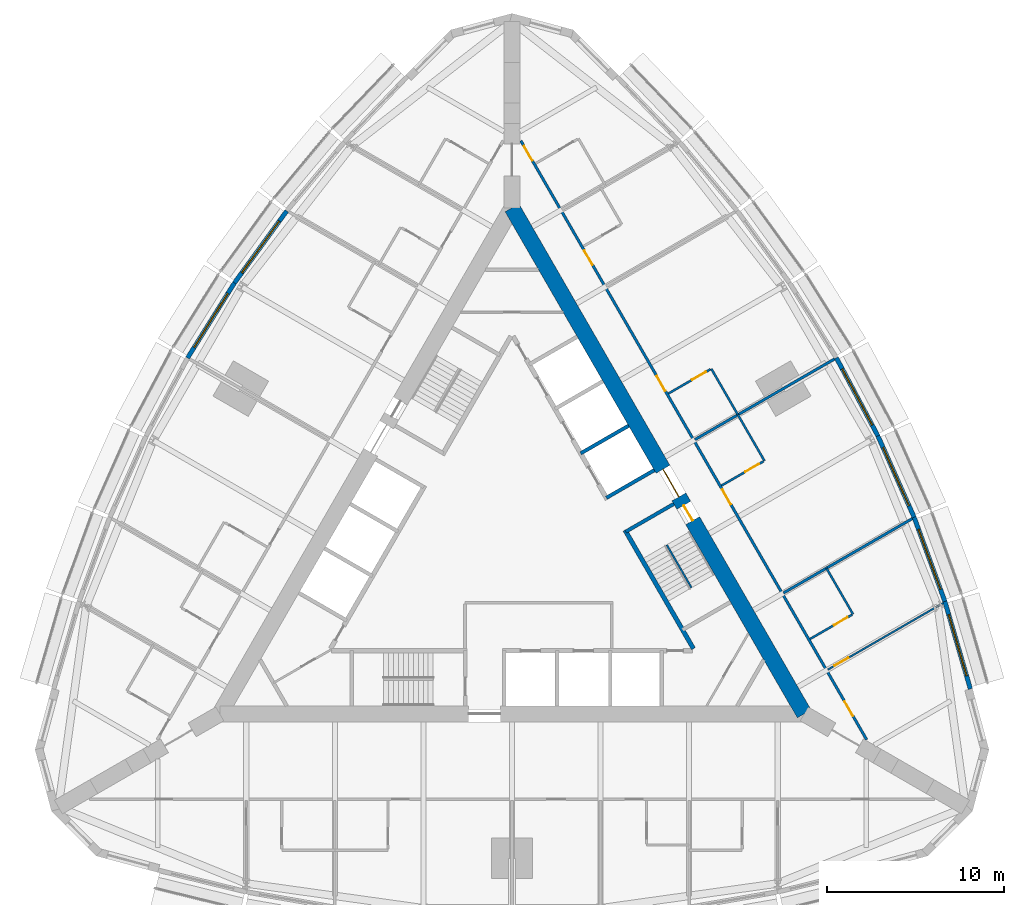
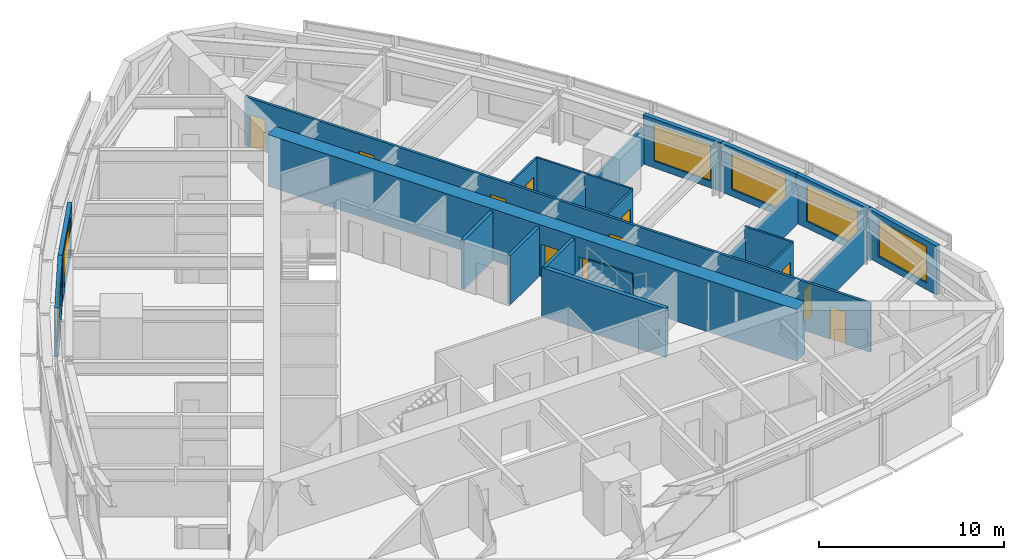
# One storey, part 11 of 14: 22 walls, 11 doors, 6 windows, 17 openings.
"""IFC4 building model written with IfcOpenShell, lengths in metres."""

from ifc_helpers import new_model, si_unit, direction, frame, frame_2d, origin, place, context, subcontext, project, spatial, rectangle, extrude, material, layer, layer_set, type_object, element, fill, save


model = new_model("IFC4")

# Units and contexts
model_context = context("Model", 3, precision=1e-05, world=origin(), true_north=direction((0.0, 1.0)))
body_context = subcontext(model_context, "Body", "Model", "MODEL_VIEW")
ifc_project = project(units=[si_unit("LENGTHUNIT", "METRE"), si_unit("AREAUNIT", "SQUARE_METRE"), si_unit("VOLUMEUNIT", "CUBIC_METRE"), si_unit("PLANEANGLEUNIT", "RADIAN"), si_unit("MASSUNIT", "GRAM", prefix="KILO")], contexts=[model_context])

# Site, building, storey
site_placement = place(None, origin())
site = spatial("IfcSite", under=ifc_project, at=site_placement, CompositionType="ELEMENT")
building_placement = place(site_placement, origin())
building = spatial("IfcBuilding", under=site, at=building_placement, Name="Trikona Tower", CompositionType="ELEMENT")
storey_placement = place(building_placement, frame((0.0, 0.0, 158.89990234375)))
storey = spatial("IfcBuildingStorey", under=building, at=storey_placement, Name="L42", CompositionType="ELEMENT", Elevation=158.89990234375)

# Wall
ifc_material_1 = material(Name="Metal stud and cement board", Category="gypsum")
ifc_layer_1 = layer(ifc_material_1, 0.1201171875)
ifc_layer_set_1 = layer_set([ifc_layer_1], Name="Bathroom wall 120")
wall_type_1 = type_object("IfcWallType", Name="Bathroom wall 120", PredefinedType="PLUMBINGWALL", material=ifc_layer_set_1)
wall_1_placement = place(storey_placement, frame((19.25341796875, -3.895263671875, 0.0), z_axis=(0.0, 0.0, 1.0), x_axis=(-0.499990139034, 0.866031096941, 0.0)))
element("IfcWall", 1, at=wall_1_placement, inside=storey, type_object=wall_type_1, Name="Bathroom wall 4205.1", PredefinedType="PLUMBINGWALL", context=body_context, shape_type="SweptSolid", body=[
    extrude(rectangle(XDim=3.0, YDim=0.1201171875, at=frame_2d((1.5, 0.0))), origin(), (0.0, 0.0, 1.0), 3.235107421875),
])

# Wall, opening, door
wall_2_placement = place(storey_placement, frame((16.82861328125, -5.295166015625, 0.0), z_axis=(0.0, 0.0, 1.0), x_axis=(0.866035715982, 0.499982138324, 0.0)))
wall_2 = element("IfcWall", 2, at=wall_2_placement, inside=storey, type_object=wall_type_1, Name="Bathroom wall 4205.1", PredefinedType="PLUMBINGWALL", context=body_context, shape_type="SweptSolid", body=[
    extrude(rectangle(XDim=2.73974609375, YDim=0.1201171875, at=frame_2d((1.369873046875, 0.0))), origin(), (0.0, 0.0, 1.0), 3.235107421875),
])
opening_1_placement = place(wall_2_placement, frame((1.550048828125, 0.0, 0.0)))
opening_1 = element("IfcOpeningElement", 3, at=opening_1_placement, cuts=wall_2, Name="Opening D2", PredefinedType="OPENING", context=body_context, shape_type="SweptSolid", body=[
    extrude(rectangle(XDim=0.89990234375, YDim=2.1298828125, at=frame_2d((0.449951171875, 1.06494140625))), frame((0.0, 0.070068359375, 0.0), z_axis=(0.0, -1.0, 0.0), x_axis=(1.0, 0.0, 0.0)), (0.0, 0.0, 1.0), 0.14013671875),
])
ifc_material_2 = material(Name="Steel door frame with solid-core timber leaf", Category="steel")
door_type_1 = type_object("IfcDoorType", Name="Bathroom door 900x2130", OperationType="SLIDING_TO_LEFT", PredefinedType="DOOR", material=ifc_material_2)
door_1_placement = place(opening_1_placement, origin())
door_1 = element("IfcDoor", 4, at=door_1_placement, inside=storey, type_object=door_type_1, Name="Bathroom door 4205.1", OperationType="SLIDING_TO_LEFT", OverallHeight=2.1298828125, OverallWidth=0.89990234375, PredefinedType="DOOR", context=body_context, shape_type="SweptSolid", body=[
    extrude(rectangle(XDim=0.89990234375, YDim=2.1298828125, at=frame_2d((0.449951171875, 1.06494140625))), frame((0.0, 0.02490234375, 0.0), z_axis=(0.0, -1.0, 0.0), x_axis=(1.0, 0.0, 0.0)), (0.0, 0.0, 1.0), 0.050048828125),
])
fill(opening_1, door_1)

# Wall
wall_3_placement = place(storey_placement, frame((14.25341796875, 4.76513671875, 0.0), z_axis=(0.0, 0.0, 1.0), x_axis=(-0.50002537861, 0.866010750942, 0.0)))
element("IfcWall", 5, at=wall_3_placement, inside=storey, type_object=wall_type_1, Name="Bathroom wall 4206", PredefinedType="PLUMBINGWALL", context=body_context, shape_type="SweptSolid", body=[
    extrude(rectangle(XDim=2.999755859375, YDim=0.1201171875, at=frame_2d((1.5, 0.0))), origin(), (0.0, 0.0, 1.0), 3.235107421875),
])

# Wall, opening, door
wall_4_placement = place(storey_placement, frame((11.82861328125, 3.364990234375, 0.0), z_axis=(0.0, 0.0, 1.0), x_axis=(0.865997131366, 0.500048966069, 0.0)))
wall_4 = element("IfcWall", 6, at=wall_4_placement, inside=storey, type_object=wall_type_1, Name="Bathroom wall 4206", PredefinedType="PLUMBINGWALL", context=body_context, shape_type="SweptSolid", body=[
    extrude(rectangle(XDim=2.739990234375, YDim=0.1201171875, at=frame_2d((1.3701171875, 0.0))), origin(), (0.0, 0.0, 1.0), 3.235107421875),
])
opening_2_placement = place(wall_4_placement, frame((1.550048828125, 0.0, 0.0)))
opening_2 = element("IfcOpeningElement", 7, at=opening_2_placement, cuts=wall_4, Name="Opening D2", PredefinedType="OPENING", context=body_context, shape_type="SweptSolid", body=[
    extrude(rectangle(XDim=0.89990234375, YDim=2.1298828125, at=frame_2d((0.449951171875, 1.06494140625))), frame((0.0, 0.070068359375, 0.0), z_axis=(0.0, -1.0, 0.0), x_axis=(1.0, 0.0, 0.0)), (0.0, 0.0, 1.0), 0.14013671875),
])
door_2_placement = place(opening_2_placement, origin())
door_2 = element("IfcDoor", 8, at=door_2_placement, inside=storey, type_object=door_type_1, Name="Bathroom door 4206", OperationType="SLIDING_TO_LEFT", OverallHeight=2.1298828125, OverallWidth=0.89990234375, PredefinedType="DOOR", context=body_context, shape_type="SweptSolid", body=[
    extrude(rectangle(XDim=0.89990234375, YDim=2.1298828125, at=frame_2d((0.449951171875, 1.06494140625))), frame((0.0, 0.02490234375, 0.0), z_axis=(0.0, -1.0, 0.0), x_axis=(1.0, 0.0, 0.0)), (0.0, 0.0, 1.0), 0.050048828125),
])
fill(opening_2, door_2)

# Wall
wall_5_placement = place(storey_placement, frame((12.75341796875, 7.363037109375, 0.0), z_axis=(0.0, 0.0, 1.0), x_axis=(-0.499990139034, 0.866031096941, 0.0)))
element("IfcWall", 9, at=wall_5_placement, inside=storey, type_object=wall_type_1, Name="Bathroom wall 4207", PredefinedType="PLUMBINGWALL", context=body_context, shape_type="SweptSolid", body=[
    extrude(rectangle(XDim=3.0, YDim=0.1201171875, at=frame_2d((1.5, 0.0))), origin(), (0.0, 0.0, 1.0), 3.235107421875),
])

# Wall, opening, door
wall_6_placement = place(storey_placement, frame((8.82861328125, 8.561279296875, 0.0), z_axis=(0.0, 0.0, 1.0), x_axis=(0.866035715982, 0.499982138324, 0.0)))
wall_6 = element("IfcWall", 10, at=wall_6_placement, inside=storey, type_object=wall_type_1, Name="Bathroom wall 4207", PredefinedType="PLUMBINGWALL", context=body_context, shape_type="SweptSolid", body=[
    extrude(rectangle(XDim=2.73974609375, YDim=0.1201171875, at=frame_2d((1.369873046875, 0.0))), origin(), (0.0, 0.0, 1.0), 3.235107421875),
])
opening_3_placement = place(wall_6_placement, frame((1.550048828125, 0.0, 0.0)))
opening_3 = element("IfcOpeningElement", 11, at=opening_3_placement, cuts=wall_6, Name="Opening D2", PredefinedType="OPENING", context=body_context, shape_type="SweptSolid", body=[
    extrude(rectangle(XDim=0.89990234375, YDim=2.1298828125, at=frame_2d((0.449951171875, 1.06494140625))), frame((0.0, 0.070068359375, 0.0), z_axis=(0.0, -1.0, 0.0), x_axis=(1.0, 0.0, 0.0)), (0.0, 0.0, 1.0), 0.14013671875),
])
door_3_placement = place(opening_3_placement, origin())
door_3 = element("IfcDoor", 12, at=door_3_placement, inside=storey, type_object=door_type_1, Name="Bathroom door 4207", OperationType="SLIDING_TO_LEFT", OverallHeight=2.1298828125, OverallWidth=0.89990234375, PredefinedType="DOOR", context=body_context, shape_type="SweptSolid", body=[
    extrude(rectangle(XDim=0.89990234375, YDim=2.1298828125, at=frame_2d((0.449951171875, 1.06494140625))), frame((0.0, 0.02490234375, 0.0), z_axis=(0.0, -1.0, 0.0), x_axis=(1.0, 0.0, 0.0)), (0.0, 0.0, 1.0), 0.050048828125),
])
fill(opening_3, door_3)

# Wall, openings, doors
ifc_material_3 = material(Name="Concrete f'c 10000 psi", Category="concrete")
ifc_layer_2 = layer(ifc_material_3, 0.89990234375)
ifc_layer_set_2 = layer_set([ifc_layer_2], Name="Core wall 900")
wall_type_2 = type_object("IfcWallType", Name="Core wall 900", PredefinedType="SHEAR", material=ifc_layer_set_2)
wall_7_placement = place(storey_placement, frame((16.5, -9.5263671875, 0.0), z_axis=(0.0, 0.0, 1.0), x_axis=(-0.499999749417, 0.866025548458, 0.0)))
wall_7 = element("IfcWall", 13, at=wall_7_placement, inside=storey, type_object=wall_type_2, Name="Core wall B", PredefinedType="SHEAR", context=body_context, shape_type="SweptSolid", body=[
    extrude(rectangle(XDim=33.0, YDim=0.89990234375, at=frame_2d((16.5, 0.0))), origin(), (0.0, 0.0, 1.0), 3.400146484375),
])
opening_4_placement = place(wall_7_placement, frame((14.14990234375, 0.0, 0.0)))
opening_4 = element("IfcOpeningElement", 14, at=opening_4_placement, cuts=wall_7, Name="Opening D6", PredefinedType="OPENING", context=body_context, shape_type="SweptSolid", body=[
    extrude(rectangle(XDim=1.800048828125, YDim=2.1298828125, at=frame_2d((0.89990234375, 1.06494140625))), frame((0.0, 0.4599609375, 0.0), z_axis=(0.0, -1.0, 0.0), x_axis=(1.0, 0.0, 0.0)), (0.0, 0.0, 1.0), 0.919921875),
])
opening_5_placement = place(wall_7_placement, frame((12.60009765625, 0.0, 0.0)))
opening_5 = element("IfcOpeningElement", 15, at=opening_5_placement, cuts=wall_7, Name="Opening D5", PredefinedType="OPENING", context=body_context, shape_type="SweptSolid", body=[
    extrude(rectangle(XDim=1.0, YDim=2.1298828125, at=frame_2d((0.5, 1.06494140625))), frame((0.0, 0.4599609375, 0.0), z_axis=(0.0, -1.0, 0.0), x_axis=(1.0, 0.0, 0.0)), (0.0, 0.0, 1.0), 0.919921875),
])
ifc_material_4 = material(Name="Hollow metal door and frame", Category="steel")
door_type_2 = type_object("IfcDoorType", Name="Lobby door pair 1800x2130", OperationType="DOUBLE_DOOR_SINGLE_SWING", PredefinedType="DOOR", material=ifc_material_4)
door_4_placement = place(opening_4_placement, origin())
door_4 = element("IfcDoor", 16, at=door_4_placement, inside=storey, type_object=door_type_2, Name="Lift lobby door B", OperationType="DOUBLE_DOOR_SINGLE_SWING", OverallHeight=2.1298828125, OverallWidth=1.800048828125, PredefinedType="DOOR", context=body_context, shape_type="SweptSolid", body=[
    extrude(rectangle(XDim=1.800048828125, YDim=2.1298828125, at=frame_2d((0.89990234375, 1.06494140625))), frame((0.0, 0.02490234375, 0.0), z_axis=(0.0, -1.0, 0.0), x_axis=(1.0, 0.0, 0.0)), (0.0, 0.0, 1.0), 0.050048828125),
])
fill(opening_4, door_4)
ifc_material_5 = material(Name="Hollow metal door and frame", Category="steel")
door_type_3 = type_object("IfcDoorType", Name="Stair door 1000x2130", OperationType="SINGLE_SWING_LEFT", PredefinedType="DOOR", material=ifc_material_5)
door_5_placement = place(opening_5_placement, origin())
door_5 = element("IfcDoor", 17, at=door_5_placement, inside=storey, type_object=door_type_3, Name="Stair B door", OperationType="SINGLE_SWING_RIGHT", OverallHeight=2.1298828125, OverallWidth=1.0, PredefinedType="DOOR", context=body_context, shape_type="SweptSolid", body=[
    extrude(rectangle(XDim=1.0, YDim=2.1298828125, at=frame_2d((0.5, 1.06494140625))), frame((0.0, 0.02490234375, 0.0), z_axis=(0.0, -1.0, 0.0), x_axis=(1.0, 0.0, 0.0)), (0.0, 0.0, 1.0), 0.050048828125),
])
fill(opening_5, door_5)

ifc_material_6 = material(Name="Metal stud and gypsum board, 1-hour", Category="gypsum")
ifc_layer_3 = layer(ifc_material_6, 0.14990234375)
ifc_layer_set_3 = layer_set([ifc_layer_3], Name="Corridor wall 150")
wall_type_3 = type_object("IfcWallType", Name="Corridor wall 150", PredefinedType="PARTITIONING", material=ifc_layer_set_3)
wall_8_placement = place(storey_placement, frame((20.027099609375, -10.9853515625, 0.0), z_axis=(0.0, 0.0, 1.0), x_axis=(-0.500001677587, 0.866024435227, 0.0)))
wall_8 = element("IfcWall", 18, at=wall_8_placement, inside=storey, type_object=wall_type_3, Name="Corridor wall L42-2", PredefinedType="PARTITIONING", context=body_context, shape_type="SweptSolid", body=[
    extrude(rectangle(XDim=39.053955078125, YDim=0.14990234375, at=frame_2d((19.52685546875, 0.0))), origin(), (0.0, 0.0, 1.0), 3.235107421875),
])
opening_6_placement = place(wall_8_placement, frame((1.558349609375, 0.0, 0.0)))
opening_6 = element("IfcOpeningElement", 19, at=opening_6_placement, cuts=wall_8, Name="Opening D1", PredefinedType="OPENING", context=body_context, shape_type="SweptSolid", body=[
    extrude(rectangle(XDim=0.949951171875, YDim=2.1298828125, at=frame_2d((0.47509765625, 1.06494140625))), frame((0.0, 0.0849609375, 0.0), z_axis=(0.0, -1.0, 0.0), x_axis=(1.0, 0.0, 0.0)), (0.0, 0.0, 1.0), 0.169921875),
])
opening_7_placement = place(wall_8_placement, frame((15.35205078125, 0.0, 0.0)))
opening_7 = element("IfcOpeningElement", 20, at=opening_7_placement, cuts=wall_8, Name="Opening D1", PredefinedType="OPENING", context=body_context, shape_type="SweptSolid", body=[
    extrude(rectangle(XDim=0.949951171875, YDim=2.1298828125, at=frame_2d((0.47509765625, 1.06494140625))), frame((0.0, 0.0849609375, 0.0), z_axis=(0.0, -1.0, 0.0), x_axis=(1.0, 0.0, 0.0)), (0.0, 0.0, 1.0), 0.169921875),
])
opening_8_placement = place(wall_8_placement, frame((22.751953125, 0.0, 0.0)))
opening_8 = element("IfcOpeningElement", 21, at=opening_8_placement, cuts=wall_8, Name="Opening D1", PredefinedType="OPENING", context=body_context, shape_type="SweptSolid", body=[
    extrude(rectangle(XDim=0.949951171875, YDim=2.1298828125, at=frame_2d((0.47509765625, 1.06494140625))), frame((0.0, 0.0849609375, 0.0), z_axis=(0.0, -1.0, 0.0), x_axis=(1.0, 0.0, 0.0)), (0.0, 0.0, 1.0), 0.169921875),
])
opening_9_placement = place(wall_8_placement, frame((30.951904296875, 0.0, 0.0)))
opening_9 = element("IfcOpeningElement", 22, at=opening_9_placement, cuts=wall_8, Name="Opening D1", PredefinedType="OPENING", context=body_context, shape_type="SweptSolid", body=[
    extrude(rectangle(XDim=0.949951171875, YDim=2.1298828125, at=frame_2d((0.47509765625, 1.06494140625))), frame((0.0, 0.0849609375, 0.0), z_axis=(0.0, -1.0, 0.0), x_axis=(1.0, 0.0, 0.0)), (0.0, 0.0, 1.0), 0.169921875),
])
opening_10_placement = place(wall_8_placement, frame((37.751953125, 0.0, 0.0)))
opening_10 = element("IfcOpeningElement", 23, at=opening_10_placement, cuts=wall_8, Name="Opening D1", PredefinedType="OPENING", context=body_context, shape_type="SweptSolid", body=[
    extrude(rectangle(XDim=0.949951171875, YDim=2.1298828125, at=frame_2d((0.47509765625, 1.06494140625))), frame((0.0, 0.0849609375, 0.0), z_axis=(0.0, -1.0, 0.0), x_axis=(1.0, 0.0, 0.0)), (0.0, 0.0, 1.0), 0.169921875),
])
ifc_material_7 = material(Name="Steel door frame with solid-core timber leaf", Category="steel")
door_type_4 = type_object("IfcDoorType", Name="Guest room door 950x2130", OperationType="SINGLE_SWING_LEFT", PredefinedType="DOOR", material=ifc_material_7)
door_6_placement = place(opening_6_placement, origin())
door_6 = element("IfcDoor", 24, at=door_6_placement, inside=storey, type_object=door_type_4, Name="Room door 4205", OperationType="SINGLE_SWING_LEFT", OverallHeight=2.1298828125, OverallWidth=0.949951171875, PredefinedType="DOOR", context=body_context, shape_type="SweptSolid", body=[
    extrude(rectangle(XDim=0.949951171875, YDim=2.1298828125, at=frame_2d((0.47509765625, 1.06494140625))), frame((0.0, 0.02490234375, 0.0), z_axis=(0.0, -1.0, 0.0), x_axis=(1.0, 0.0, 0.0)), (0.0, 0.0, 1.0), 0.050048828125),
])
fill(opening_6, door_6)
door_7_placement = place(opening_7_placement, origin())
door_7 = element("IfcDoor", 25, at=door_7_placement, inside=storey, type_object=door_type_4, Name="Room door 4206", OperationType="SINGLE_SWING_RIGHT", OverallHeight=2.1298828125, OverallWidth=0.949951171875, PredefinedType="DOOR", context=body_context, shape_type="SweptSolid", body=[
    extrude(rectangle(XDim=0.949951171875, YDim=2.1298828125, at=frame_2d((0.47509765625, 1.06494140625))), frame((0.0, 0.02490234375, 0.0), z_axis=(0.0, -1.0, 0.0), x_axis=(1.0, 0.0, 0.0)), (0.0, 0.0, 1.0), 0.050048828125),
])
fill(opening_7, door_7)
door_8_placement = place(opening_8_placement, origin())
door_8 = element("IfcDoor", 26, at=door_8_placement, inside=storey, type_object=door_type_4, Name="Room door 4207", OperationType="SINGLE_SWING_LEFT", OverallHeight=2.1298828125, OverallWidth=0.949951171875, PredefinedType="DOOR", context=body_context, shape_type="SweptSolid", body=[
    extrude(rectangle(XDim=0.949951171875, YDim=2.1298828125, at=frame_2d((0.47509765625, 1.06494140625))), frame((0.0, 0.02490234375, 0.0), z_axis=(0.0, -1.0, 0.0), x_axis=(1.0, 0.0, 0.0)), (0.0, 0.0, 1.0), 0.050048828125),
])
fill(opening_8, door_8)
door_9_placement = place(opening_9_placement, origin())
door_9 = element("IfcDoor", 27, at=door_9_placement, inside=storey, type_object=door_type_4, Name="Room door 4208", OperationType="SINGLE_SWING_RIGHT", OverallHeight=2.1298828125, OverallWidth=0.949951171875, PredefinedType="DOOR", context=body_context, shape_type="SweptSolid", body=[
    extrude(rectangle(XDim=0.949951171875, YDim=2.1298828125, at=frame_2d((0.47509765625, 1.06494140625))), frame((0.0, 0.02490234375, 0.0), z_axis=(0.0, -1.0, 0.0), x_axis=(1.0, 0.0, 0.0)), (0.0, 0.0, 1.0), 0.050048828125),
])
fill(opening_9, door_9)
door_10_placement = place(opening_10_placement, origin())
door_10 = element("IfcDoor", 28, at=door_10_placement, inside=storey, type_object=door_type_4, Name="Room door 4209", OperationType="SINGLE_SWING_RIGHT", OverallHeight=2.1298828125, OverallWidth=0.949951171875, PredefinedType="DOOR", context=body_context, shape_type="SweptSolid", body=[
    extrude(rectangle(XDim=0.949951171875, YDim=2.1298828125, at=frame_2d((0.47509765625, 1.06494140625))), frame((0.0, 0.02490234375, 0.0), z_axis=(0.0, -1.0, 0.0), x_axis=(1.0, 0.0, 0.0)), (0.0, 0.0, 1.0), 0.050048828125),
])
fill(opening_10, door_10)

# Wall
ifc_material_8 = material(Name="Concrete f'c 8000 psi", Category="concrete")
ifc_layer_4 = layer(ifc_material_8, 0.25)
ifc_layer_set_4 = layer_set([ifc_layer_4], Name="Hub wall 250")
wall_type_4 = type_object("IfcWallType", Name="Hub wall 250", PredefinedType="SOLIDWALL", material=ifc_layer_set_4)
wall_9_placement = place(storey_placement, frame((10.245361328125, -5.843017578125, 0.0), z_axis=(0.0, 0.0, 1.0), x_axis=(-0.499993009313, 0.866029439822, 0.0)))
element("IfcWall", 29, at=wall_9_placement, inside=storey, type_object=wall_type_4, Name="Lift lobby wall B1", PredefinedType="SOLIDWALL", context=body_context, shape_type="SweptSolid", body=[
    extrude(rectangle(XDim=7.73291015625, YDim=0.25, at=frame_2d((3.866455078125, 0.0))), origin(), (0.0, 0.0, 1.0), 3.235107421875),
])

# Wall, opening, window
ifc_material_9 = material(Name="Insulated precast concrete spandrel panel", Category="concrete")
ifc_layer_5 = layer(ifc_material_9, 0.25)
ifc_layer_set_5 = layer_set([ifc_layer_5], Name="Inner skin wall 250")
wall_type_5 = type_object("IfcWallType", Name="Inner skin wall 250", PredefinedType="STANDARD", material=ifc_layer_set_5)
wall_10_placement = place(storey_placement, frame((25.8798828125, -8.117919921875, 0.0), z_axis=(0.0, 0.0, 1.0), x_axis=(-0.279528287117, 0.960137457191, 0.0)))
wall_10 = element("IfcWall", 30, at=wall_10_placement, inside=storey, type_object=wall_type_5, Name="External wall L42-12", PredefinedType="STANDARD", context=body_context, shape_type="SweptSolid", body=[
    extrude(rectangle(XDim=5.14794921875, YDim=0.25, at=frame_2d((2.573974609375, 0.0))), origin(), (0.0, 0.0, 1.0), 3.235107421875),
])
opening_11_placement = place(wall_10_placement, frame((0.77392578125, 0.0, 0.449951171875)))
opening_11 = element("IfcOpeningElement", 31, at=opening_11_placement, cuts=wall_10, Name="Opening W3624", PredefinedType="OPENING", context=body_context, shape_type="SweptSolid", body=[
    extrude(rectangle(XDim=3.60009765625, YDim=2.39990234375, at=frame_2d((1.800048828125, 1.199951171875))), frame((0.0, 0.135009765625, 0.0), z_axis=(0.0, -1.0, 0.0), x_axis=(1.0, 0.0, 0.0)), (0.0, 0.0, 1.0), 0.27001953125),
])
ifc_material_10 = material(Name="Aluminium-framed double glazing", Category="aluminium")
window_type = type_object("IfcWindowType", Name="Window 3600x2400", PartitioningType="SINGLE_PANEL", PredefinedType="WINDOW", material=ifc_material_10)
window_1_placement = place(opening_11_placement, origin())
window_1 = element("IfcWindow", 32, at=window_1_placement, inside=storey, type_object=window_type, Name="Window 4205", OverallHeight=2.39990234375, OverallWidth=3.60009765625, PartitioningType="SINGLE_PANEL", PredefinedType="WINDOW", context=body_context, shape_type="SweptSolid", body=[
    extrude(rectangle(XDim=3.60009765625, YDim=2.39990234375, at=frame_2d((1.800048828125, 1.199951171875))), frame((0.0, 0.030029296875, 0.0), z_axis=(0.0, -1.0, 0.0), x_axis=(1.0, 0.0, 0.0)), (0.0, 0.0, 1.0), 0.06005859375),
])
fill(opening_11, window_1)

wall_11_placement = place(storey_placement, frame((24.443603515625, -3.18310546875, 0.0), z_axis=(0.0, 0.0, 1.0), x_axis=(-0.343225593282, 0.939252996863, 0.0)))
wall_11 = element("IfcWall", 33, at=wall_11_placement, inside=storey, type_object=wall_type_5, Name="External wall L42-13", PredefinedType="STANDARD", context=body_context, shape_type="SweptSolid", body=[
    extrude(rectangle(XDim=5.075927734375, YDim=0.25, at=frame_2d((2.5380859375, 0.0))), origin(), (0.0, 0.0, 1.0), 3.235107421875),
])
opening_12_placement = place(wall_11_placement, frame((0.738037109375, 0.0, 0.449951171875)))
opening_12 = element("IfcOpeningElement", 34, at=opening_12_placement, cuts=wall_11, Name="Opening W3624", PredefinedType="OPENING", context=body_context, shape_type="SweptSolid", body=[
    extrude(rectangle(XDim=3.60009765625, YDim=2.39990234375, at=frame_2d((1.800048828125, 1.199951171875))), frame((0.0, 0.135009765625, 0.0), z_axis=(0.0, -1.0, 0.0), x_axis=(1.0, 0.0, 0.0)), (0.0, 0.0, 1.0), 0.27001953125),
])
window_2_placement = place(opening_12_placement, origin())
window_2 = element("IfcWindow", 35, at=window_2_placement, inside=storey, type_object=window_type, Name="Window 4205.1", OverallHeight=2.39990234375, OverallWidth=3.60009765625, PartitioningType="SINGLE_PANEL", PredefinedType="WINDOW", context=body_context, shape_type="SweptSolid", body=[
    extrude(rectangle(XDim=3.60009765625, YDim=2.39990234375, at=frame_2d((1.800048828125, 1.199951171875))), frame((0.0, 0.030029296875, 0.0), z_axis=(0.0, -1.0, 0.0), x_axis=(1.0, 0.0, 0.0)), (0.0, 0.0, 1.0), 0.06005859375),
])
fill(opening_12, window_2)

wall_12_placement = place(storey_placement, frame((22.70458984375, 1.576416015625, 0.0), z_axis=(0.0, 0.0, 1.0), x_axis=(-0.406832200364, 0.913502906808, 0.0)))
wall_12 = element("IfcWall", 36, at=wall_12_placement, inside=storey, type_object=wall_type_5, Name="External wall L42-14", PredefinedType="STANDARD", context=body_context, shape_type="SweptSolid", body=[
    extrude(rectangle(XDim=5.027587890625, YDim=0.25, at=frame_2d((2.513671875, 0.0))), origin(), (0.0, 0.0, 1.0), 3.235107421875),
])
opening_13_placement = place(wall_12_placement, frame((0.713623046875, 0.0, 0.449951171875)))
opening_13 = element("IfcOpeningElement", 37, at=opening_13_placement, cuts=wall_12, Name="Opening W3624", PredefinedType="OPENING", context=body_context, shape_type="SweptSolid", body=[
    extrude(rectangle(XDim=3.60009765625, YDim=2.39990234375, at=frame_2d((1.800048828125, 1.199951171875))), frame((0.0, 0.135009765625, 0.0), z_axis=(0.0, -1.0, 0.0), x_axis=(1.0, 0.0, 0.0)), (0.0, 0.0, 1.0), 0.27001953125),
])
window_3_placement = place(opening_13_placement, origin())
window_3 = element("IfcWindow", 38, at=window_3_placement, inside=storey, type_object=window_type, Name="Window 4206", OverallHeight=2.39990234375, OverallWidth=3.60009765625, PartitioningType="SINGLE_PANEL", PredefinedType="WINDOW", context=body_context, shape_type="SweptSolid", body=[
    extrude(rectangle(XDim=3.60009765625, YDim=2.39990234375, at=frame_2d((1.800048828125, 1.199951171875))), frame((0.0, 0.030029296875, 0.0), z_axis=(0.0, -1.0, 0.0), x_axis=(1.0, 0.0, 0.0)), (0.0, 0.0, 1.0), 0.06005859375),
])
fill(opening_13, window_3)

wall_13_placement = place(storey_placement, frame((20.662841796875, 6.161376953125, 0.0), z_axis=(0.0, 0.0, 1.0), x_axis=(-0.469404966864, 0.882982999317, 0.0)))
wall_13 = element("IfcWall", 39, at=wall_13_placement, inside=storey, type_object=wall_type_5, Name="External wall L42-15", PredefinedType="STANDARD", context=body_context, shape_type="SweptSolid", body=[
    extrude(rectangle(XDim=5.0029296875, YDim=0.25, at=frame_2d((2.50146484375, 0.0))), origin(), (0.0, 0.0, 1.0), 3.235107421875),
])
opening_14_placement = place(wall_13_placement, frame((0.701416015625, 0.0, 0.449951171875)))
opening_14 = element("IfcOpeningElement", 40, at=opening_14_placement, cuts=wall_13, Name="Opening W3624", PredefinedType="OPENING", context=body_context, shape_type="SweptSolid", body=[
    extrude(rectangle(XDim=3.60009765625, YDim=2.39990234375, at=frame_2d((1.800048828125, 1.199951171875))), frame((0.0, 0.135009765625, 0.0), z_axis=(0.0, -1.0, 0.0), x_axis=(1.0, 0.0, 0.0)), (0.0, 0.0, 1.0), 0.27001953125),
])
window_4_placement = place(opening_14_placement, origin())
window_4 = element("IfcWindow", 41, at=window_4_placement, inside=storey, type_object=window_type, Name="Window 4206", OverallHeight=2.39990234375, OverallWidth=3.60009765625, PartitioningType="SINGLE_PANEL", PredefinedType="WINDOW", context=body_context, shape_type="SweptSolid", body=[
    extrude(rectangle(XDim=3.60009765625, YDim=2.39990234375, at=frame_2d((1.800048828125, 1.199951171875))), frame((0.0, 0.030029296875, 0.0), z_axis=(0.0, -1.0, 0.0), x_axis=(1.0, 0.0, 0.0)), (0.0, 0.0, 1.0), 0.06005859375),
])
fill(opening_14, window_4)

wall_14_placement = place(storey_placement, frame((-12.717529296875, 18.87451171875, 0.0), z_axis=(0.0, 0.0, 1.0), x_axis=(-0.587669188412, -0.809101307001, 0.0)))
wall_14 = element("IfcWall", 42, at=wall_14_placement, inside=storey, type_object=wall_type_5, Name="External wall L42-26", PredefinedType="STANDARD", context=body_context, shape_type="SweptSolid", body=[
    extrude(rectangle(XDim=5.027587890625, YDim=0.25, at=frame_2d((2.513671875, 0.0))), origin(), (0.0, 0.0, 1.0), 3.235107421875),
])
opening_15_placement = place(wall_14_placement, frame((0.7138671875, 0.0, 0.449951171875)))
opening_15 = element("IfcOpeningElement", 43, at=opening_15_placement, cuts=wall_14, Name="Opening W3624", PredefinedType="OPENING", context=body_context, shape_type="SweptSolid", body=[
    extrude(rectangle(XDim=3.60009765625, YDim=2.39990234375, at=frame_2d((1.800048828125, 1.199951171875))), frame((0.0, 0.135009765625, 0.0), z_axis=(0.0, -1.0, 0.0), x_axis=(1.0, 0.0, 0.0)), (0.0, 0.0, 1.0), 0.27001953125),
])
window_5_placement = place(opening_15_placement, origin())
window_5 = element("IfcWindow", 44, at=window_5_placement, inside=storey, type_object=window_type, Name="Window 4212", OverallHeight=2.39990234375, OverallWidth=3.60009765625, PartitioningType="SINGLE_PANEL", PredefinedType="WINDOW", context=body_context, shape_type="SweptSolid", body=[
    extrude(rectangle(XDim=3.60009765625, YDim=2.39990234375, at=frame_2d((1.800048828125, 1.199951171875))), frame((0.0, 0.030029296875, 0.0), z_axis=(0.0, -1.0, 0.0), x_axis=(1.0, 0.0, 0.0)), (0.0, 0.0, 1.0), 0.06005859375),
])
fill(opening_15, window_5)

wall_15_placement = place(storey_placement, frame((-15.667236328125, 14.81396484375, 0.0), z_axis=(0.0, 0.0, 1.0), x_axis=(-0.529990167382, -0.84800378683, 0.0)))
wall_15 = element("IfcWall", 45, at=wall_15_placement, inside=storey, type_object=wall_type_5, Name="External wall L42-27", PredefinedType="STANDARD", context=body_context, shape_type="SweptSolid", body=[
    extrude(rectangle(XDim=5.003173828125, YDim=0.25, at=frame_2d((2.50146484375, 0.0))), origin(), (0.0, 0.0, 1.0), 3.235107421875),
])
opening_16_placement = place(wall_15_placement, frame((0.701416015625, 0.0, 0.449951171875)))
opening_16 = element("IfcOpeningElement", 46, at=opening_16_placement, cuts=wall_15, Name="Opening W3624", PredefinedType="OPENING", context=body_context, shape_type="SweptSolid", body=[
    extrude(rectangle(XDim=3.60009765625, YDim=2.39990234375, at=frame_2d((1.800048828125, 1.199951171875))), frame((0.0, 0.135009765625, 0.0), z_axis=(0.0, -1.0, 0.0), x_axis=(1.0, 0.0, 0.0)), (0.0, 0.0, 1.0), 0.27001953125),
])
window_6_placement = place(opening_16_placement, origin())
window_6 = element("IfcWindow", 47, at=window_6_placement, inside=storey, type_object=window_type, Name="Window 4212", OverallHeight=2.39990234375, OverallWidth=3.60009765625, PartitioningType="SINGLE_PANEL", PredefinedType="WINDOW", context=body_context, shape_type="SweptSolid", body=[
    extrude(rectangle(XDim=3.60009765625, YDim=2.39990234375, at=frame_2d((1.800048828125, 1.199951171875))), frame((0.0, 0.030029296875, 0.0), z_axis=(0.0, -1.0, 0.0), x_axis=(1.0, 0.0, 0.0)), (0.0, 0.0, 1.0), 0.06005859375),
])
fill(opening_16, window_6)

# Walls
ifc_material_11 = material(Name="Metal stud and gypsum board, 1-hour acoustic", Category="gypsum")
ifc_layer_6 = layer(ifc_material_11, 0.14990234375)
ifc_layer_set_6 = layer_set([ifc_layer_6], Name="Party wall 150")
wall_type_6 = type_object("IfcWallType", Name="Party wall 150", PredefinedType="PARTITIONING", material=ifc_layer_set_6)
wall_16_placement = place(storey_placement, frame((15.32861328125, -2.697021484375, 0.0), z_axis=(0.0, 0.0, 1.0), x_axis=(0.866024316602, 0.50000188305, 0.0)))
element("IfcWall", 48, at=wall_16_placement, inside=storey, type_object=wall_type_6, Name="Partition L42 F2 u-10", PredefinedType="PARTITIONING", context=body_context, shape_type="SweptSolid", body=[
    extrude(rectangle(XDim=8.39501953125, YDim=0.14990234375, at=frame_2d((4.197509765625, 0.0))), origin(), (0.0, 0.0, 1.0), 2.389404296875),
])
wall_17_placement = place(storey_placement, frame((10.32861328125, 5.963134765625, 0.0), z_axis=(0.0, 0.0, 1.0), x_axis=(0.866025170687, 0.500000403736, 0.0)))
element("IfcWall", 49, at=wall_17_placement, inside=storey, type_object=wall_type_6, Name="Partition L42 F2 u-4.44089e-15", PredefinedType="PARTITIONING", context=body_context, shape_type="SweptSolid", body=[
    extrude(rectangle(XDim=9.0986328125, YDim=0.14990234375, at=frame_2d((4.54931640625, 0.0))), origin(), (0.0, 0.0, 1.0), 2.389404296875),
])
ifc_material_12 = material(Name="Concrete f'c 8000 psi", Category="concrete")
ifc_layer_7 = layer(ifc_material_12, 0.199951171875)
ifc_layer_set_7 = layer_set([ifc_layer_7], Name="Shaft wall 200")
wall_type_7 = type_object("IfcWallType", Name="Shaft wall 200", PredefinedType="SOLIDWALL", material=ifc_layer_set_7)
for number, where, z_axis, x_axis, name in (
    (50, (5.3291015625, 2.672607421875, 0.0), (0.0, 0.0, 1.0), (0.866022959057, 0.500004234368, 0.0), "Shaft wall B3"),
    (51, (3.87890625, 5.18408203125, 0.0), (0.0, 0.0, 1.0), (0.866022959057, 0.500004234368, 0.0), "Shaft wall B4"),
):
    element("IfcWall", number, at=place(storey_placement, frame(where, z_axis=z_axis, x_axis=x_axis)), inside=storey, type_object=wall_type_7, Name=name, PredefinedType="SOLIDWALL", context=body_context, shape_type="SweptSolid", body=[
        extrude(rectangle(XDim=3.125, YDim=0.199951171875, at=frame_2d((1.5625, 0.0))), origin(), (0.0, 0.0, 1.0), 3.235107421875),
    ])
ifc_material_13 = material(Name="Concrete f'c 8000 psi", Category="concrete")
ifc_layer_8 = layer(ifc_material_13, 0.199951171875)
ifc_layer_set_8 = layer_set([ifc_layer_8], Name="Shaft wall 200 load-bearing")
wall_type_8 = type_object("IfcWallType", Name="Shaft wall 200 load-bearing", PredefinedType="SOLIDWALL", material=ifc_layer_set_8)
wall_18_placement = place(storey_placement, frame((6.428955078125, 0.767333984375, 0.0), z_axis=(0.0, 0.0, 1.0), x_axis=(0.866022959057, 0.500004234368, 0.0)))
element("IfcWall", 52, at=wall_18_placement, inside=storey, type_object=wall_type_8, Name="Shaft wall B2", PredefinedType="SOLIDWALL", context=body_context, shape_type="SweptSolid", body=[
    extrude(rectangle(XDim=3.125, YDim=0.199951171875, at=frame_2d((1.5625, 0.0))), origin(), (0.0, 0.0, 1.0), 3.235107421875),
])
ifc_material_14 = material(Name="Concrete f'c 5000 psi", Category="concrete")
ifc_layer_9 = layer(ifc_material_14, 0.10009765625)
ifc_layer_set_9 = layer_set([ifc_layer_9], Name="Stair spine wall 100")
wall_type_9 = type_object("IfcWallType", Name="Stair spine wall 100", PredefinedType="SOLIDWALL", material=ifc_layer_set_9)
wall_19_placement = place(storey_placement, frame((10.134765625, -2.4013671875, 0.0), z_axis=(0.0, 0.0, 1.0), x_axis=(-0.499992232847, 0.866029888106, 0.0)))
element("IfcWall", 53, at=wall_19_placement, inside=storey, type_object=wall_type_9, Name="Stair B spine wall L42", PredefinedType="SOLIDWALL", context=body_context, shape_type="SweptSolid", body=[
    extrude(rectangle(XDim=2.7939453125, YDim=0.10009765625, at=frame_2d((1.39697265625, 0.0))), origin(), (0.0, 0.0, 1.0), 3.400146484375),
])

# Wall, opening, door
ifc_material_15 = material(Name="Metal stud and gypsum board, acoustic", Category="gypsum")
ifc_layer_10 = layer(ifc_material_15, 0.10009765625)
ifc_layer_set_10 = layer_set([ifc_layer_10], Name="Suite partition 100")
wall_type_10 = type_object("IfcWallType", Name="Suite partition 100", PredefinedType="PARTITIONING", material=ifc_layer_set_10)
wall_20_placement = place(storey_placement, frame((17.82861328125, -7.027099609375, 0.0), z_axis=(0.0, 0.0, 1.0), x_axis=(0.866029804378, 0.499992377871, 0.0)))
wall_20 = element("IfcWall", 54, at=wall_20_placement, inside=storey, type_object=wall_type_10, Name="Suite partition L42 F2 u-15", PredefinedType="PARTITIONING", context=body_context, shape_type="SweptSolid", body=[
    extrude(rectangle(XDim=7.51611328125, YDim=0.10009765625, at=frame_2d((3.758056640625, 0.0))), origin(), (0.0, 0.0, 1.0), 2.389404296875),
])
opening_17_placement = place(wall_20_placement, frame((0.449951171875, 0.0, 0.0)))
opening_17 = element("IfcOpeningElement", 55, at=opening_17_placement, cuts=wall_20, Name="Opening D13", PredefinedType="OPENING", context=body_context, shape_type="SweptSolid", body=[
    extrude(rectangle(XDim=0.89990234375, YDim=2.1298828125, at=frame_2d((0.449951171875, 1.06494140625))), frame((0.0, 0.06005859375, 0.0), z_axis=(0.0, -1.0, 0.0), x_axis=(1.0, 0.0, 0.0)), (0.0, 0.0, 1.0), 0.1201171875),
])
ifc_material_16 = material(Name="Steel door frame with solid-core timber leaf", Category="steel")
door_type_5 = type_object("IfcDoorType", Name="Suite door 900x2130", OperationType="SINGLE_SWING_LEFT", PredefinedType="DOOR", material=ifc_material_16)
door_11_placement = place(opening_17_placement, origin())
door_11 = element("IfcDoor", 56, at=door_11_placement, inside=storey, type_object=door_type_5, Name="Suite door 4205", OperationType="SINGLE_SWING_LEFT", OverallHeight=2.1298828125, OverallWidth=0.89990234375, PredefinedType="DOOR", context=body_context, shape_type="SweptSolid", body=[
    extrude(rectangle(XDim=0.89990234375, YDim=2.1298828125, at=frame_2d((0.449951171875, 1.06494140625))), frame((0.0, 0.02490234375, 0.0), z_axis=(0.0, -1.0, 0.0), x_axis=(1.0, 0.0, 0.0)), (0.0, 0.0, 1.0), 0.050048828125),
])
fill(opening_17, door_11)

save(model, "model.ifc")
